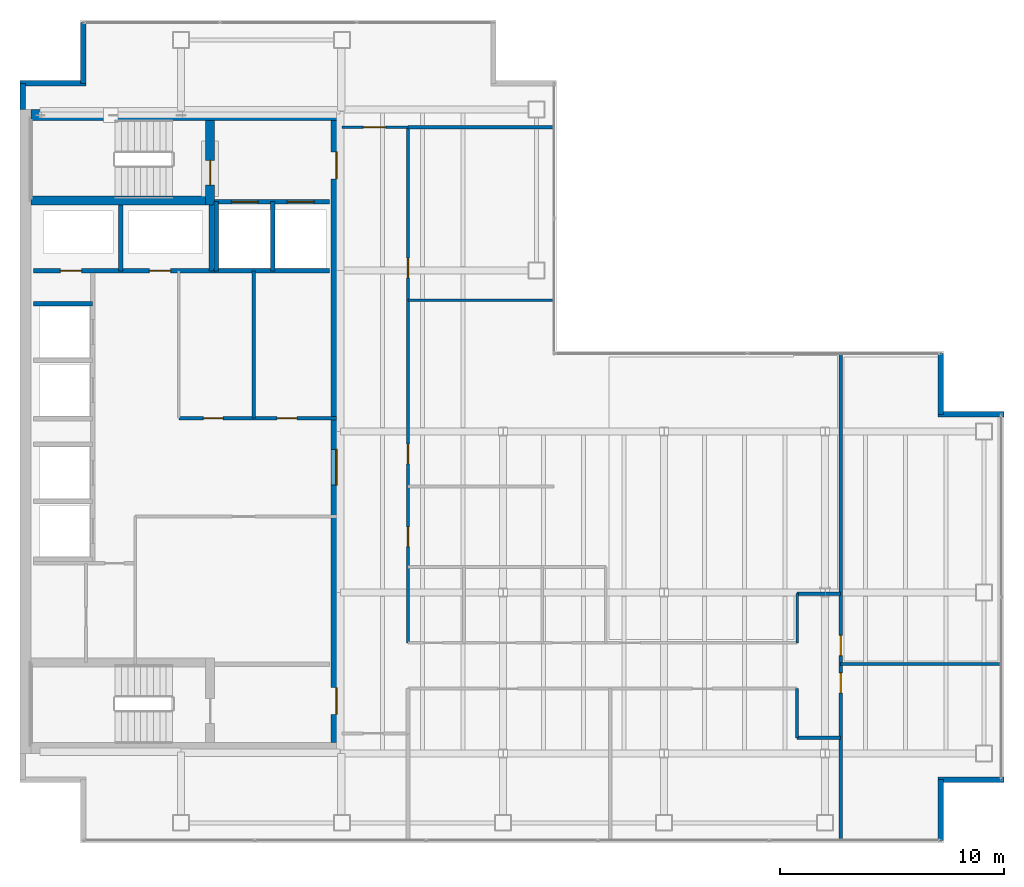
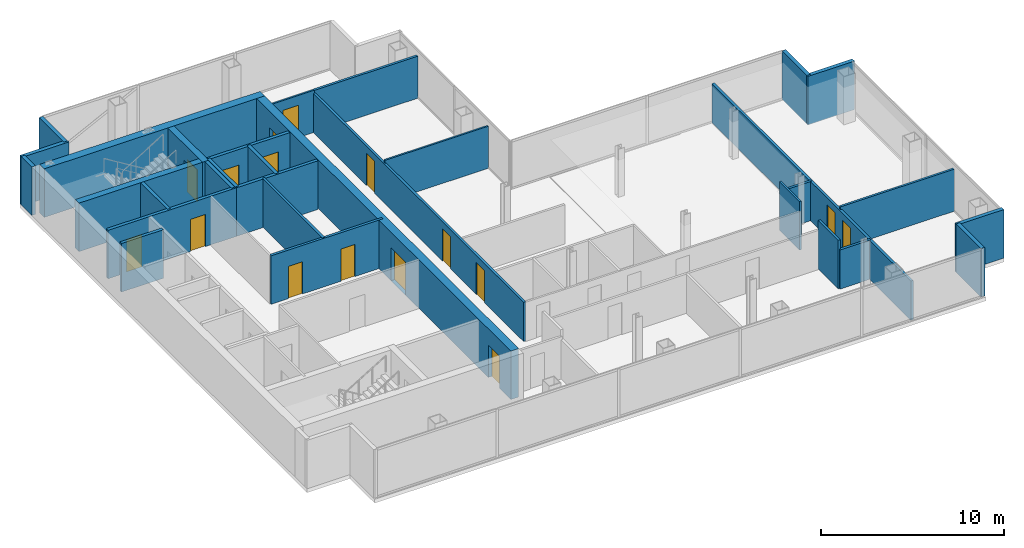
# One storey, part 21 of 23: 31 walls, 16 doors, 16 openings.
"""IFC4 building model written with IfcOpenShell, lengths in metres."""

from ifc_helpers import new_model, si_unit, direction, frame, frame_2d, origin, place, context, subcontext, project, spatial, rectangle, extrude, material, layer, layer_set, type_object, element, fill, save


model = new_model("IFC4")

# Units and contexts
model_context = context("Model", 3, precision=1e-05, world=origin(), true_north=direction((0.0, 1.0)))
body_context = subcontext(model_context, "Body", "Model", "MODEL_VIEW")
ifc_project = project(units=[si_unit("LENGTHUNIT", "METRE"), si_unit("AREAUNIT", "SQUARE_METRE"), si_unit("VOLUMEUNIT", "CUBIC_METRE"), si_unit("PLANEANGLEUNIT", "RADIAN"), si_unit("MASSUNIT", "GRAM", prefix="KILO")], contexts=[model_context])

# Site, building, storey
site_placement = place(None, origin())
site = spatial("IfcSite", under=ifc_project, at=site_placement, CompositionType="ELEMENT")
building_placement = place(site_placement, origin())
building = spatial("IfcBuilding", under=site, at=building_placement, Name="Cobrela Telecom Tower", CompositionType="ELEMENT")
storey_placement = place(building_placement, frame((0.0, 0.0, 225.75)))
storey = spatial("IfcBuildingStorey", under=building, at=storey_placement, Name="L58", CompositionType="ELEMENT", Elevation=225.75)

# Wall
ifc_material_1 = material(Name="Concrete C40/50", Category="concrete")
ifc_layer_1 = layer(ifc_material_1, 0.5)
ifc_layer_set_1 = layer_set([ifc_layer_1], Name="Concrete C40/50")
wall_type_1 = type_object("IfcWallType", Name="WALL-CORE-C40-500", PredefinedType="SHEAR", material=ifc_layer_set_1)
wall_1_placement = place(storey_placement, frame((0.5, 35.75, 0.0), z_axis=(0.0, 0.0, 1.0), x_axis=(1.0, 0.0, 0.0)))
element("IfcWall", 1, at=wall_1_placement, inside=storey, type_object=wall_type_1, Name="L58 North Core Shear Wall", PredefinedType="SHEAR", context=body_context, shape_type="SweptSolid", body=[
    extrude(rectangle(XDim=13.89990234375, YDim=0.5, at=frame_2d((6.949951171875, 0.0))), origin(), (0.0, 0.0, 1.0), 3.239990234375),
])

# Wall, openings, doors
wall_2_placement = place(storey_placement, frame((14.14990234375, 35.5, 0.0), z_axis=(0.0, 0.0, 1.0), x_axis=(0.0, -1.0, 0.0)))
wall_2 = element("IfcWall", 2, at=wall_2_placement, inside=storey, type_object=wall_type_1, Name="L58 East Core Shear Wall", PredefinedType="SHEAR", context=body_context, shape_type="SweptSolid", body=[
    extrude(rectangle(XDim=27.800048828125, YDim=0.5, at=frame_2d((13.89990234375, 0.0))), origin(), (0.0, 0.0, 1.0), 3.239990234375),
])
opening_1_placement = place(wall_2_placement, frame((1.39990234375, 0.0, 0.0)))
opening_1 = element("IfcOpeningElement", 3, at=opening_1_placement, cuts=wall_2, Name="Opening DR-19", PredefinedType="OPENING", context=body_context, shape_type="SweptSolid", body=[
    extrude(rectangle(XDim=1.199951171875, YDim=2.14990234375, at=frame_2d((0.60009765625, 1.074951171875))), frame((0.0, 0.261962890625, 0.0), z_axis=(0.0, -1.0, 0.0), x_axis=(1.0, 0.0, 0.0)), (0.0, 0.0, 1.0), 0.52392578125),
])
opening_2_placement = place(wall_2_placement, frame((25.35009765625, 0.0, 0.0)))
opening_2 = element("IfcOpeningElement", 4, at=opening_2_placement, cuts=wall_2, Name="Opening DR-19", PredefinedType="OPENING", context=body_context, shape_type="SweptSolid", body=[
    extrude(rectangle(XDim=1.199951171875, YDim=2.14990234375, at=frame_2d((0.60009765625, 1.074951171875))), frame((0.0, 0.261962890625, 0.0), z_axis=(0.0, -1.0, 0.0), x_axis=(1.0, 0.0, 0.0)), (0.0, 0.0, 1.0), 0.52392578125),
])
opening_3_placement = place(wall_2_placement, frame((14.699951171875, 0.0, 0.0)))
opening_3 = element("IfcOpeningElement", 5, at=opening_3_placement, cuts=wall_2, Name="Opening DR-51", PredefinedType="OPENING", context=body_context, shape_type="SweptSolid", body=[
    extrude(rectangle(XDim=1.60009765625, YDim=2.199951171875, at=frame_2d((0.800048828125, 1.10009765625))), frame((0.0, 0.261962890625, 0.0), z_axis=(0.0, -1.0, 0.0), x_axis=(1.0, 0.0, 0.0)), (0.0, 0.0, 1.0), 0.52392578125),
])
ifc_material_2 = material(Name="Steel ASTM A36", Category="steel")
door_type_1 = type_object("IfcDoorType", Name="DOOR-FD60-1200", OperationType="SINGLE_SWING_LEFT", PredefinedType="DOOR", material=ifc_material_2)
door_1_placement = place(opening_1_placement, origin())
door_1 = element("IfcDoor", 6, at=door_1_placement, inside=storey, type_object=door_type_1, Name="L58 Door DR-19", OperationType="SINGLE_SWING_LEFT", OverallHeight=2.14990234375, OverallWidth=1.199951171875, PredefinedType="DOOR", context=body_context, shape_type="SweptSolid", body=[
    extrude(rectangle(XDim=1.199951171875, YDim=2.14990234375, at=frame_2d((0.60009765625, 1.074951171875))), frame((0.0, 0.02490234375, 0.0), z_axis=(0.0, -1.0, 0.0), x_axis=(1.0, 0.0, 0.0)), (0.0, 0.0, 1.0), 0.050048828125),
])
fill(opening_1, door_1)
door_2_placement = place(opening_2_placement, origin())
door_2 = element("IfcDoor", 7, at=door_2_placement, inside=storey, type_object=door_type_1, Name="L58 Door DR-19", OperationType="SINGLE_SWING_RIGHT", OverallHeight=2.14990234375, OverallWidth=1.199951171875, PredefinedType="DOOR", context=body_context, shape_type="SweptSolid", body=[
    extrude(rectangle(XDim=1.199951171875, YDim=2.14990234375, at=frame_2d((0.60009765625, 1.074951171875))), frame((0.0, 0.02490234375, 0.0), z_axis=(0.0, -1.0, 0.0), x_axis=(1.0, 0.0, 0.0)), (0.0, 0.0, 1.0), 0.050048828125),
])
fill(opening_2, door_2)
door_type_2 = type_object("IfcDoorType", Name="DOOR-FD60-1600", OperationType="SINGLE_SWING_LEFT", PredefinedType="DOOR", material=ifc_material_2)
door_3_placement = place(opening_3_placement, origin())
door_3 = element("IfcDoor", 8, at=door_3_placement, inside=storey, type_object=door_type_2, Name="L58 Door DR-51", OperationType="DOUBLE_DOOR_SINGLE_SWING", OverallHeight=2.199951171875, OverallWidth=1.60009765625, PredefinedType="DOOR", context=body_context, shape_type="SweptSolid", body=[
    extrude(rectangle(XDim=1.60009765625, YDim=2.199951171875, at=frame_2d((0.800048828125, 1.10009765625))), frame((0.0, 0.02490234375, 0.0), z_axis=(0.0, -1.0, 0.0), x_axis=(1.0, 0.0, 0.0)), (0.0, 0.0, 1.0), 0.050048828125),
])
fill(opening_3, door_3)

# Walls
ifc_layer_2 = layer(ifc_material_1, 0.239990234375)
ifc_layer_set_2 = layer_set([ifc_layer_2], Name="Concrete C40/50")
wall_type_2 = type_object("IfcWallType", Name="WALL-EXT-300", PredefinedType="STANDARD", material=ifc_layer_set_2)
wall_3_placement = place(storey_placement, frame((0.1201171875, 36.0, 0.0), z_axis=(0.0, 0.0, 1.0), x_axis=(0.0, 1.0, 0.0)))
element("IfcWall", 9, at=wall_3_placement, inside=storey, type_object=wall_type_2, Name="L58 Insulated Facade Wall 04", PredefinedType="STANDARD", context=body_context, shape_type="SweptSolid", body=[
    extrude(rectangle(XDim=1.169921875, YDim=0.239990234375, at=frame_2d((0.5849609375, 0.0))), origin(), (0.0, 0.0, 1.0), 3.239990234375),
])
wall_4_placement = place(storey_placement, frame((0.0, 37.169921875, 0.0), z_axis=(0.0, 0.0, 1.0), x_axis=(1.0, 0.0, 0.0)))
element("IfcWall", 10, at=wall_4_placement, inside=storey, type_object=wall_type_2, Name="L58 Insulated Facade Wall 05", PredefinedType="STANDARD", context=body_context, shape_type="SweptSolid", body=[
    extrude(rectangle(XDim=2.949951171875, YDim=0.239990234375, at=frame_2d((1.47509765625, 0.0))), origin(), (0.0, 0.0, 1.0), 3.239990234375),
])
for number, where, z_axis, x_axis, name in (
    (11, (2.830078125, 37.169921875, 0.0), (0.0, 0.0, 1.0), (0.0, 1.0, 0.0), "L58 Insulated Facade Wall 06"),
    (12, (41.169921875, 25.080078125, 0.0), (0.0, 0.0, 1.0), (0.0, -1.0, 0.0), "L58 Insulated Facade Wall 12"),
):
    element("IfcWall", number, at=place(storey_placement, frame(where, z_axis=z_axis, x_axis=x_axis)), inside=storey, type_object=wall_type_2, Name=name, PredefinedType="STANDARD", context=body_context, shape_type="SweptSolid", body=[
        extrude(rectangle(XDim=2.7099609375, YDim=0.239990234375, at=frame_2d((1.35498046875, 0.0))), origin(), (0.0, 0.0, 1.0), 3.239990234375),
    ])
for number, where, z_axis, x_axis, name in (
    (13, (41.050048828125, 22.3701171875, 0.0), (0.0, 0.0, 1.0), (1.0, 0.0, 0.0), "L58 Insulated Facade Wall 13"),
    (14, (44.0, 6.030029296875, 0.0), (0.0, 0.0, 1.0), (-1.0, 0.0, 0.0), "L58 Insulated Facade Wall 15"),
):
    element("IfcWall", number, at=place(storey_placement, frame(where, z_axis=z_axis, x_axis=x_axis)), inside=storey, type_object=wall_type_2, Name=name, PredefinedType="STANDARD", context=body_context, shape_type="SweptSolid", body=[
        extrude(rectangle(XDim=2.949951171875, YDim=0.239990234375, at=frame_2d((1.47509765625, 0.0))), origin(), (0.0, 0.0, 1.0), 3.239990234375),
    ])
wall_5_placement = place(storey_placement, frame((41.169921875, 6.030029296875, 0.0), z_axis=(0.0, 0.0, 1.0), x_axis=(0.0, -1.0, 0.0)))
element("IfcWall", 15, at=wall_5_placement, inside=storey, type_object=wall_type_2, Name="L58 Insulated Facade Wall 16", PredefinedType="STANDARD", context=body_context, shape_type="SweptSolid", body=[
    extrude(rectangle(XDim=2.7099609375, YDim=0.239990234375, at=frame_2d((1.35498046875, 0.0))), origin(), (0.0, 0.0, 1.0), 3.239990234375),
])

# Wall, opening, door
ifc_material_3 = material(Name="Fire-Rated Gypsum Plasterboard")
ifc_layer_3 = layer(ifc_material_3, 0.110107421875)
ifc_layer_set_3 = layer_set([ifc_layer_3], Name="Fire-Rated Gypsum Plasterboard")
wall_type_3 = type_object("IfcWallType", Name="WALL-PART-110", PredefinedType="PARTITIONING", material=ifc_layer_set_3)
wall_6_placement = place(storey_placement, frame((14.39990234375, 35.199951171875, 0.0), z_axis=(0.0, 0.0, 1.0), x_axis=(1.0, 0.0, 0.0)))
wall_6 = element("IfcWall", 16, at=wall_6_placement, inside=storey, type_object=wall_type_3, Name="L58 Interior Partition W-C-N0", PredefinedType="PARTITIONING", context=body_context, shape_type="SweptSolid", body=[
    extrude(rectangle(XDim=2.9501953125, YDim=0.110107421875, at=frame_2d((1.47509765625, 0.0))), origin(), (0.0, 0.0, 1.0), 2.80810546875),
])
opening_4_placement = place(wall_6_placement, frame((0.949951171875, 0.0, 0.0)))
opening_4 = element("IfcOpeningElement", 17, at=opening_4_placement, cuts=wall_6, Name="Opening DR-31", PredefinedType="OPENING", context=body_context, shape_type="SweptSolid", body=[
    extrude(rectangle(XDim=1.0, YDim=2.14990234375, at=frame_2d((0.5, 1.074951171875))), frame((0.0, 0.06689453125, 0.0), z_axis=(0.0, -1.0, 0.0), x_axis=(1.0, 0.0, 0.0)), (0.0, 0.0, 1.0), 0.134033203125),
])
ifc_material_4 = material(Name="Solid Engineered Oak Timber", Category="wood")
door_type_3 = type_object("IfcDoorType", Name="DOOR-INT-1000", OperationType="SINGLE_SWING_LEFT", PredefinedType="DOOR", material=ifc_material_4)
door_4_placement = place(opening_4_placement, origin())
door_4 = element("IfcDoor", 18, at=door_4_placement, inside=storey, type_object=door_type_3, Name="L58 Door DR-31", OperationType="SINGLE_SWING_LEFT", OverallHeight=2.14990234375, OverallWidth=1.0, PredefinedType="DOOR", context=body_context, shape_type="SweptSolid", body=[
    extrude(rectangle(XDim=1.0, YDim=2.14990234375, at=frame_2d((0.5, 1.074951171875))), frame((0.0, 0.02490234375, 0.0), z_axis=(0.0, -1.0, 0.0), x_axis=(1.0, 0.0, 0.0)), (0.0, 0.0, 1.0), 0.050048828125),
])
fill(opening_4, door_4)

# Walls
wall_7_placement = place(storey_placement, frame((34.75, 12.14990234375, 0.0), z_axis=(0.0, 0.0, 1.0), x_axis=(0.0, 1.0, 0.0)))
element("IfcWall", 19, at=wall_7_placement, inside=storey, type_object=wall_type_3, Name="L58 Interior Partition W-CT-JW2", PredefinedType="PARTITIONING", context=body_context, shape_type="SweptSolid", body=[
    extrude(rectangle(XDim=2.2001953125, YDim=0.110107421875, at=frame_2d((1.10009765625, 0.0))), origin(), (0.0, 0.0, 1.0), 3.239990234375),
])
wall_8_placement = place(storey_placement, frame((17.35009765625, 27.469970703125, 0.0), z_axis=(0.0, 0.0, 1.0), x_axis=(1.0, 0.0, 0.0)))
element("IfcWall", 20, at=wall_8_placement, inside=storey, type_object=wall_type_3, Name="L58 Interior Partition W-NT-M", PredefinedType="PARTITIONING", context=body_context, shape_type="SweptSolid", body=[
    extrude(rectangle(XDim=6.52978515625, YDim=0.110107421875, at=frame_2d((3.264892578125, 0.0))), origin(), (0.0, 0.0, 1.0), 2.80810546875),
])
ifc_layer_4 = layer(ifc_material_3, 0.135009765625)
ifc_layer_set_4 = layer_set([ifc_layer_4], Name="Fire-Rated Gypsum Plasterboard")
wall_type_4 = type_object("IfcWallType", Name="WALL-PART-135", PredefinedType="PARTITIONING", material=ifc_layer_set_4)
wall_9_placement = place(storey_placement, frame((34.75, 7.89990234375, 0.0), z_axis=(0.0, 0.0, 1.0), x_axis=(0.0, 1.0, 0.0)))
element("IfcWall", 21, at=wall_9_placement, inside=storey, type_object=wall_type_4, Name="L58 Interior Partition W-CT-JW1", PredefinedType="PARTITIONING", context=body_context, shape_type="SweptSolid", body=[
    extrude(rectangle(XDim=2.2001953125, YDim=0.135009765625, at=frame_2d((1.10009765625, 0.0))), origin(), (0.0, 0.0, 1.0), 3.239990234375),
])
wall_10_placement = place(storey_placement, frame((36.699951171875, 11.199951171875, 0.0), z_axis=(0.0, 0.0, 1.0), x_axis=(1.0, 0.0, 0.0)))
element("IfcWall", 22, at=wall_10_placement, inside=storey, type_object=wall_type_4, Name="L58 Interior Partition W-FE-H", PredefinedType="PARTITIONING", context=body_context, shape_type="SweptSolid", body=[
    extrude(rectangle(XDim=7.179931640625, YDim=0.135009765625, at=frame_2d((3.58984375, 0.0))), origin(), (0.0, 0.0, 1.0), 2.80810546875),
])
ifc_layer_5 = layer(ifc_material_3, 0.14990234375)
ifc_layer_set_5 = layer_set([ifc_layer_5], Name="Fire-Rated Gypsum Plasterboard")
wall_type_5 = type_object("IfcWallType", Name="WALL-PART-150", PredefinedType="PARTITIONING", material=ifc_layer_set_5)
wall_11_placement = place(storey_placement, frame((10.449951171875, 22.199951171875, 0.0), z_axis=(0.0, 0.0, 1.0), x_axis=(0.0, 1.0, 0.0)))
element("IfcWall", 23, at=wall_11_placement, inside=storey, type_object=wall_type_5, Name="L58 Interior Partition CW-RECL-V", PredefinedType="PARTITIONING", context=body_context, shape_type="SweptSolid", body=[
    extrude(rectangle(XDim=6.580078125, YDim=0.14990234375, at=frame_2d((3.2900390625, 0.0))), origin(), (0.0, 0.0, 1.0), 3.239990234375),
])

# Wall, openings, doors
wall_12_placement = place(storey_placement, frame((17.35009765625, 12.14990234375, 0.0), z_axis=(0.0, 0.0, 1.0), x_axis=(0.0, 1.0, 0.0)))
wall_12 = element("IfcWall", 24, at=wall_12_placement, inside=storey, type_object=wall_type_5, Name="L58 Interior Partition W-C-E2", PredefinedType="PARTITIONING", context=body_context, shape_type="SweptSolid", body=[
    extrude(rectangle(XDim=23.050048828125, YDim=0.14990234375, at=frame_2d((11.52490234375, 0.0))), origin(), (0.0, 0.0, 1.0), 2.613037109375),
])
opening_5_placement = place(wall_12_placement, frame((4.300048828125, 0.0, 0.0)))
opening_5 = element("IfcOpeningElement", 25, at=opening_5_placement, cuts=wall_12, Name="Opening DR-39", PredefinedType="OPENING", context=body_context, shape_type="SweptSolid", body=[
    extrude(rectangle(XDim=0.8798828125, YDim=2.14990234375, at=frame_2d((0.43994140625, 1.074951171875))), frame((0.0, 0.0869140625, 0.0), z_axis=(0.0, -1.0, 0.0), x_axis=(1.0, 0.0, 0.0)), (0.0, 0.0, 1.0), 0.173828125),
])
opening_6_placement = place(wall_12_placement, frame((8.0, 0.0, 0.0)))
opening_6 = element("IfcOpeningElement", 26, at=opening_6_placement, cuts=wall_12, Name="Opening DR-39", PredefinedType="OPENING", context=body_context, shape_type="SweptSolid", body=[
    extrude(rectangle(XDim=0.8798828125, YDim=2.14990234375, at=frame_2d((0.43994140625, 1.074951171875))), frame((0.0, 0.0869140625, 0.0), z_axis=(0.0, -1.0, 0.0), x_axis=(1.0, 0.0, 0.0)), (0.0, 0.0, 1.0), 0.173828125),
])
opening_7_placement = place(wall_12_placement, frame((16.320068359375, 0.0, 0.0)))
opening_7 = element("IfcOpeningElement", 27, at=opening_7_placement, cuts=wall_12, Name="Opening DR-39", PredefinedType="OPENING", context=body_context, shape_type="SweptSolid", body=[
    extrude(rectangle(XDim=0.8798828125, YDim=2.14990234375, at=frame_2d((0.43994140625, 1.074951171875))), frame((0.0, 0.0869140625, 0.0), z_axis=(0.0, -1.0, 0.0), x_axis=(1.0, 0.0, 0.0)), (0.0, 0.0, 1.0), 0.173828125),
])
door_type_4 = type_object("IfcDoorType", Name="DOOR-INT-880", OperationType="SINGLE_SWING_LEFT", PredefinedType="DOOR", material=ifc_material_4)
door_5_placement = place(opening_5_placement, origin())
door_5 = element("IfcDoor", 28, at=door_5_placement, inside=storey, type_object=door_type_4, Name="L58 Door DR-39", OperationType="SINGLE_SWING_RIGHT", OverallHeight=2.14990234375, OverallWidth=0.8798828125, PredefinedType="DOOR", context=body_context, shape_type="SweptSolid", body=[
    extrude(rectangle(XDim=0.8798828125, YDim=2.14990234375, at=frame_2d((0.43994140625, 1.074951171875))), frame((0.0, 0.02490234375, 0.0), z_axis=(0.0, -1.0, 0.0), x_axis=(1.0, 0.0, 0.0)), (0.0, 0.0, 1.0), 0.050048828125),
])
fill(opening_5, door_5)
door_6_placement = place(opening_6_placement, origin())
door_6 = element("IfcDoor", 29, at=door_6_placement, inside=storey, type_object=door_type_4, Name="L58 Door DR-39", OperationType="SINGLE_SWING_LEFT", OverallHeight=2.14990234375, OverallWidth=0.8798828125, PredefinedType="DOOR", context=body_context, shape_type="SweptSolid", body=[
    extrude(rectangle(XDim=0.8798828125, YDim=2.14990234375, at=frame_2d((0.43994140625, 1.074951171875))), frame((0.0, 0.02490234375, 0.0), z_axis=(0.0, -1.0, 0.0), x_axis=(1.0, 0.0, 0.0)), (0.0, 0.0, 1.0), 0.050048828125),
])
fill(opening_6, door_6)
door_7_placement = place(opening_7_placement, origin())
door_7 = element("IfcDoor", 30, at=door_7_placement, inside=storey, type_object=door_type_4, Name="L58 Door DR-39", OperationType="SINGLE_SWING_RIGHT", OverallHeight=2.14990234375, OverallWidth=0.8798828125, PredefinedType="DOOR", context=body_context, shape_type="SweptSolid", body=[
    extrude(rectangle(XDim=0.8798828125, YDim=2.14990234375, at=frame_2d((0.43994140625, 1.074951171875))), frame((0.0, 0.02490234375, 0.0), z_axis=(0.0, -1.0, 0.0), x_axis=(1.0, 0.0, 0.0)), (0.0, 0.0, 1.0), 0.050048828125),
])
fill(opening_7, door_7)

# Walls
wall_13_placement = place(storey_placement, frame((34.75, 14.35009765625, 0.0), z_axis=(0.0, 0.0, 1.0), x_axis=(1.0, 0.0, 0.0)))
element("IfcWall", 31, at=wall_13_placement, inside=storey, type_object=wall_type_5, Name="L58 Interior Partition W-CT-N", PredefinedType="PARTITIONING", context=body_context, shape_type="SweptSolid", body=[
    extrude(rectangle(XDim=1.949951171875, YDim=0.14990234375, at=frame_2d((0.97509765625, 0.0))), origin(), (0.0, 0.0, 1.0), 2.613037109375),
])
wall_14_placement = place(storey_placement, frame((17.35009765625, 35.199951171875, 0.0), z_axis=(0.0, 0.0, 1.0), x_axis=(1.0, 0.0, 0.0)))
element("IfcWall", 32, at=wall_14_placement, inside=storey, type_object=wall_type_5, Name="L58 Interior Partition W-NW-S", PredefinedType="PARTITIONING", context=body_context, shape_type="SweptSolid", body=[
    extrude(rectangle(XDim=6.52978515625, YDim=0.14990234375, at=frame_2d((3.264892578125, 0.0))), origin(), (0.0, 0.0, 1.0), 2.80810546875),
])

# Wall, openings, doors
ifc_layer_6 = layer(ifc_material_3, 0.159912109375)
ifc_layer_set_6 = layer_set([ifc_layer_6], Name="Fire-Rated Gypsum Plasterboard")
wall_type_6 = type_object("IfcWallType", Name="WALL-PART-160", PredefinedType="PARTITIONING", material=ifc_layer_set_6)
wall_15_placement = place(storey_placement, frame((7.10009765625, 22.199951171875, 0.0), z_axis=(0.0, 0.0, 1.0), x_axis=(1.0, 0.0, 0.0)))
wall_15 = element("IfcWall", 33, at=wall_15_placement, inside=storey, type_object=wall_type_6, Name="L58 Interior Partition CW-RECL-S", PredefinedType="PARTITIONING", context=body_context, shape_type="SweptSolid", body=[
    extrude(rectangle(XDim=7.0498046875, YDim=0.159912109375, at=frame_2d((3.52490234375, 0.0))), origin(), (0.0, 0.0, 1.0), 3.239990234375),
])
opening_8_placement = place(wall_15_placement, frame((1.10009765625, 0.0, 0.0)))
opening_8 = element("IfcOpeningElement", 34, at=opening_8_placement, cuts=wall_15, Name="Opening DR-39", PredefinedType="OPENING", context=body_context, shape_type="SweptSolid", body=[
    extrude(rectangle(XDim=0.8798828125, YDim=2.14990234375, at=frame_2d((0.43994140625, 1.074951171875))), frame((0.0, 0.091796875, 0.0), z_axis=(0.0, -1.0, 0.0), x_axis=(1.0, 0.0, 0.0)), (0.0, 0.0, 1.0), 0.183837890625),
])
opening_9_placement = place(wall_15_placement, frame((4.39990234375, 0.0, 0.0)))
opening_9 = element("IfcOpeningElement", 35, at=opening_9_placement, cuts=wall_15, Name="Opening DR-39", PredefinedType="OPENING", context=body_context, shape_type="SweptSolid", body=[
    extrude(rectangle(XDim=0.8798828125, YDim=2.14990234375, at=frame_2d((0.43994140625, 1.074951171875))), frame((0.0, 0.091796875, 0.0), z_axis=(0.0, -1.0, 0.0), x_axis=(1.0, 0.0, 0.0)), (0.0, 0.0, 1.0), 0.183837890625),
])
door_8_placement = place(opening_8_placement, origin())
door_8 = element("IfcDoor", 36, at=door_8_placement, inside=storey, type_object=door_type_4, Name="L58 Door DR-39", OperationType="SINGLE_SWING_LEFT", OverallHeight=2.14990234375, OverallWidth=0.8798828125, PredefinedType="DOOR", context=body_context, shape_type="SweptSolid", body=[
    extrude(rectangle(XDim=0.8798828125, YDim=2.14990234375, at=frame_2d((0.43994140625, 1.074951171875))), frame((0.0, 0.02490234375, 0.0), z_axis=(0.0, -1.0, 0.0), x_axis=(1.0, 0.0, 0.0)), (0.0, 0.0, 1.0), 0.050048828125),
])
fill(opening_8, door_8)
door_9_placement = place(opening_9_placement, origin())
door_9 = element("IfcDoor", 37, at=door_9_placement, inside=storey, type_object=door_type_4, Name="L58 Door DR-39", OperationType="SINGLE_SWING_RIGHT", OverallHeight=2.14990234375, OverallWidth=0.8798828125, PredefinedType="DOOR", context=body_context, shape_type="SweptSolid", body=[
    extrude(rectangle(XDim=0.8798828125, YDim=2.14990234375, at=frame_2d((0.43994140625, 1.074951171875))), frame((0.0, 0.02490234375, 0.0), z_axis=(0.0, -1.0, 0.0), x_axis=(1.0, 0.0, 0.0)), (0.0, 0.0, 1.0), 0.050048828125),
])
fill(opening_9, door_9)

# Wall
wall_16_placement = place(storey_placement, frame((34.75, 7.89990234375, 0.0), z_axis=(0.0, 0.0, 1.0), x_axis=(1.0, 0.0, 0.0)))
element("IfcWall", 38, at=wall_16_placement, inside=storey, type_object=wall_type_6, Name="L58 Interior Partition W-CT-S", PredefinedType="PARTITIONING", context=body_context, shape_type="SweptSolid", body=[
    extrude(rectangle(XDim=1.949951171875, YDim=0.159912109375, at=frame_2d((0.97509765625, 0.0))), origin(), (0.0, 0.0, 1.0), 2.613037109375),
])

# Wall, openings, doors
wall_17_placement = place(storey_placement, frame((36.699951171875, 3.320068359375, 0.0), z_axis=(0.0, 0.0, 1.0), x_axis=(0.0, 1.0, 0.0)))
wall_17 = element("IfcWall", 39, at=wall_17_placement, inside=storey, type_object=wall_type_6, Name="L58 Interior Partition W-C-END", PredefinedType="PARTITIONING", context=body_context, shape_type="SweptSolid", body=[
    extrude(rectangle(XDim=21.760009765625, YDim=0.159912109375, at=frame_2d((10.8798828125, 0.0))), origin(), (0.0, 0.0, 1.0), 2.613037109375),
])
opening_10_placement = place(wall_17_placement, frame((6.590087890625, 0.0, 0.0)))
opening_10 = element("IfcOpeningElement", 40, at=opening_10_placement, cuts=wall_17, Name="Opening DR-41", PredefinedType="OPENING", context=body_context, shape_type="SweptSolid", body=[
    extrude(rectangle(XDim=0.89990234375, YDim=2.14990234375, at=frame_2d((0.449951171875, 1.074951171875))), frame((0.0, 0.091796875, 0.0), z_axis=(0.0, -1.0, 0.0), x_axis=(1.0, 0.0, 0.0)), (0.0, 0.0, 1.0), 0.183837890625),
])
opening_11_placement = place(wall_17_placement, frame((8.260009765625, 0.0, 0.0)))
opening_11 = element("IfcOpeningElement", 41, at=opening_11_placement, cuts=wall_17, Name="Opening DR-41", PredefinedType="OPENING", context=body_context, shape_type="SweptSolid", body=[
    extrude(rectangle(XDim=0.89990234375, YDim=2.14990234375, at=frame_2d((0.449951171875, 1.074951171875))), frame((0.0, 0.091796875, 0.0), z_axis=(0.0, -1.0, 0.0), x_axis=(1.0, 0.0, 0.0)), (0.0, 0.0, 1.0), 0.183837890625),
])
door_type_5 = type_object("IfcDoorType", Name="DOOR-INT-900", OperationType="SINGLE_SWING_LEFT", PredefinedType="DOOR", material=ifc_material_4)
door_10_placement = place(opening_10_placement, origin())
door_10 = element("IfcDoor", 42, at=door_10_placement, inside=storey, type_object=door_type_5, Name="L58 Door DR-41", OperationType="SINGLE_SWING_LEFT", OverallHeight=2.14990234375, OverallWidth=0.89990234375, PredefinedType="DOOR", context=body_context, shape_type="SweptSolid", body=[
    extrude(rectangle(XDim=0.89990234375, YDim=2.14990234375, at=frame_2d((0.449951171875, 1.074951171875))), frame((0.0, 0.02490234375, 0.0), z_axis=(0.0, -1.0, 0.0), x_axis=(1.0, 0.0, 0.0)), (0.0, 0.0, 1.0), 0.050048828125),
])
fill(opening_10, door_10)
door_11_placement = place(opening_11_placement, origin())
door_11 = element("IfcDoor", 43, at=door_11_placement, inside=storey, type_object=door_type_5, Name="L58 Door DR-41", OperationType="SINGLE_SWING_RIGHT", OverallHeight=2.14990234375, OverallWidth=0.89990234375, PredefinedType="DOOR", context=body_context, shape_type="SweptSolid", body=[
    extrude(rectangle(XDim=0.89990234375, YDim=2.14990234375, at=frame_2d((0.449951171875, 1.074951171875))), frame((0.0, 0.02490234375, 0.0), z_axis=(0.0, -1.0, 0.0), x_axis=(1.0, 0.0, 0.0)), (0.0, 0.0, 1.0), 0.050048828125),
])
fill(opening_11, door_11)

ifc_layer_7 = layer(ifc_material_3, 0.199951171875)
ifc_layer_set_7 = layer_set([ifc_layer_7], Name="Fire-Rated Gypsum Plasterboard")
wall_type_7 = type_object("IfcWallType", Name="WALL-SHAFT-200", PredefinedType="PARTITIONING", material=ifc_layer_set_7)
wall_18_placement = place(storey_placement, frame((8.699951171875, 31.8798828125, 0.0), z_axis=(0.0, 0.0, 1.0), x_axis=(1.0, 0.0, 0.0)))
wall_18 = element("IfcWall", 44, at=wall_18_placement, inside=storey, type_object=wall_type_7, Name="L58 Shaft Enclosure CW-FFL-S", PredefinedType="PARTITIONING", context=body_context, shape_type="SweptSolid", body=[
    extrude(rectangle(XDim=5.150146484375, YDim=0.199951171875, at=frame_2d((2.5751953125, 0.0))), origin(), (0.0, 0.0, 1.0), 3.239990234375),
])
opening_12_placement = place(wall_18_placement, frame((0.75, 0.0, 0.0)))
opening_12 = element("IfcOpeningElement", 45, at=opening_12_placement, cuts=wall_18, Name="Opening LD-2", PredefinedType="OPENING", context=body_context, shape_type="SweptSolid", body=[
    extrude(rectangle(XDim=1.199951171875, YDim=2.199951171875, at=frame_2d((0.60009765625, 1.10009765625))), frame((0.0, 0.11181640625, 0.0), z_axis=(0.0, -1.0, 0.0), x_axis=(1.0, 0.0, 0.0)), (0.0, 0.0, 1.0), 0.223876953125),
])
opening_13_placement = place(wall_18_placement, frame((3.25, 0.0, 0.0)))
opening_13 = element("IfcOpeningElement", 46, at=opening_13_placement, cuts=wall_18, Name="Opening LD-2", PredefinedType="OPENING", context=body_context, shape_type="SweptSolid", body=[
    extrude(rectangle(XDim=1.199951171875, YDim=2.199951171875, at=frame_2d((0.60009765625, 1.10009765625))), frame((0.0, 0.11181640625, 0.0), z_axis=(0.0, -1.0, 0.0), x_axis=(1.0, 0.0, 0.0)), (0.0, 0.0, 1.0), 0.223876953125),
])
door_type_6 = type_object("IfcDoorType", Name="DOOR-LD-FFL", OperationType="SINGLE_SWING_LEFT", PredefinedType="DOOR", material=ifc_material_2)
door_12_placement = place(opening_12_placement, origin())
door_12 = element("IfcDoor", 47, at=door_12_placement, inside=storey, type_object=door_type_6, Name="L58 Lift Landing Door LD-2", OperationType="DOUBLE_DOOR_SLIDING", OverallHeight=2.199951171875, OverallWidth=1.199951171875, PredefinedType="DOOR", context=body_context, shape_type="SweptSolid", body=[
    extrude(rectangle(XDim=1.199951171875, YDim=2.199951171875, at=frame_2d((0.60009765625, 1.10009765625))), frame((0.0, 0.02490234375, 0.0), z_axis=(0.0, -1.0, 0.0), x_axis=(1.0, 0.0, 0.0)), (0.0, 0.0, 1.0), 0.050048828125),
])
fill(opening_12, door_12)
door_13_placement = place(opening_13_placement, origin())
door_13 = element("IfcDoor", 48, at=door_13_placement, inside=storey, type_object=door_type_6, Name="L58 Lift Landing Door LD-2", OperationType="DOUBLE_DOOR_SLIDING", OverallHeight=2.199951171875, OverallWidth=1.199951171875, PredefinedType="DOOR", context=body_context, shape_type="SweptSolid", body=[
    extrude(rectangle(XDim=1.199951171875, YDim=2.199951171875, at=frame_2d((0.60009765625, 1.10009765625))), frame((0.0, 0.02490234375, 0.0), z_axis=(0.0, -1.0, 0.0), x_axis=(1.0, 0.0, 0.0)), (0.0, 0.0, 1.0), 0.050048828125),
])
fill(opening_13, door_13)

# Walls
wall_19_placement = place(storey_placement, frame((8.699951171875, 28.780029296875, 0.0), z_axis=(0.0, 0.0, 1.0), x_axis=(1.0, 0.0, 0.0)))
element("IfcWall", 49, at=wall_19_placement, inside=storey, type_object=wall_type_7, Name="L58 Shaft Enclosure CW-FFL-S2", PredefinedType="PARTITIONING", context=body_context, shape_type="SweptSolid", body=[
    extrude(rectangle(XDim=5.150146484375, YDim=0.199951171875, at=frame_2d((2.5751953125, 0.0))), origin(), (0.0, 0.0, 1.0), 3.239990234375),
])
for number, where, z_axis, x_axis, name in (
    (50, (8.780029296875, 28.780029296875, 0.0), (0.0, 0.0, 1.0), (0.0, 1.0, 0.0), "L58 Shaft Enclosure CW-FFL-W"),
    (51, (11.300048828125, 28.780029296875, 0.0), (0.0, 0.0, 1.0), (0.0, 1.0, 0.0), "L58 Shaft Enclosure CW-FFL-M"),
):
    element("IfcWall", number, at=place(storey_placement, frame(where, z_axis=z_axis, x_axis=x_axis)), inside=storey, type_object=wall_type_7, Name=name, PredefinedType="PARTITIONING", context=body_context, shape_type="SweptSolid", body=[
        extrude(rectangle(XDim=3.099853515625, YDim=0.199951171875, at=frame_2d((1.5498046875, 0.0))), origin(), (0.0, 0.0, 1.0), 3.239990234375),
    ])

# Wall, openings, doors
wall_20_placement = place(storey_placement, frame((0.60009765625, 28.780029296875, 0.0), z_axis=(0.0, 0.0, 1.0), x_axis=(1.0, 0.0, 0.0)))
wall_20 = element("IfcWall", 52, at=wall_20_placement, inside=storey, type_object=wall_type_7, Name="L58 Shaft Enclosure CW-RIS-S", PredefinedType="PARTITIONING", context=body_context, shape_type="SweptSolid", body=[
    extrude(rectangle(XDim=8.179931640625, YDim=0.199951171875, at=frame_2d((4.08984375, 0.0))), origin(), (0.0, 0.0, 1.0), 3.239990234375),
])
opening_14_placement = place(wall_20_placement, frame((1.2099609375, 0.0, 0.0)))
opening_14 = element("IfcOpeningElement", 53, at=opening_14_placement, cuts=wall_20, Name="Opening DR-65", PredefinedType="OPENING", context=body_context, shape_type="SweptSolid", body=[
    extrude(rectangle(XDim=0.949951171875, YDim=2.14990234375, at=frame_2d((0.47509765625, 1.074951171875))), frame((0.0, 0.11181640625, 0.0), z_axis=(0.0, -1.0, 0.0), x_axis=(1.0, 0.0, 0.0)), (0.0, 0.0, 1.0), 0.223876953125),
])
opening_15_placement = place(wall_20_placement, frame((5.18994140625, 0.0, 0.0)))
opening_15 = element("IfcOpeningElement", 54, at=opening_15_placement, cuts=wall_20, Name="Opening DR-65", PredefinedType="OPENING", context=body_context, shape_type="SweptSolid", body=[
    extrude(rectangle(XDim=0.949951171875, YDim=2.14990234375, at=frame_2d((0.47509765625, 1.074951171875))), frame((0.0, 0.11181640625, 0.0), z_axis=(0.0, -1.0, 0.0), x_axis=(1.0, 0.0, 0.0)), (0.0, 0.0, 1.0), 0.223876953125),
])
door_type_7 = type_object("IfcDoorType", Name="DOOR-FD60-950", OperationType="SINGLE_SWING_LEFT", PredefinedType="DOOR", material=ifc_material_2)
door_14_placement = place(opening_14_placement, origin())
door_14 = element("IfcDoor", 55, at=door_14_placement, inside=storey, type_object=door_type_7, Name="L58 Door DR-65", OperationType="SINGLE_SWING_LEFT", OverallHeight=2.14990234375, OverallWidth=0.949951171875, PredefinedType="DOOR", context=body_context, shape_type="SweptSolid", body=[
    extrude(rectangle(XDim=0.949951171875, YDim=2.14990234375, at=frame_2d((0.47509765625, 1.074951171875))), frame((0.0, 0.02490234375, 0.0), z_axis=(0.0, -1.0, 0.0), x_axis=(1.0, 0.0, 0.0)), (0.0, 0.0, 1.0), 0.050048828125),
])
fill(opening_14, door_14)
door_15_placement = place(opening_15_placement, origin())
door_15 = element("IfcDoor", 56, at=door_15_placement, inside=storey, type_object=door_type_7, Name="L58 Door DR-65", OperationType="SINGLE_SWING_RIGHT", OverallHeight=2.14990234375, OverallWidth=0.949951171875, PredefinedType="DOOR", context=body_context, shape_type="SweptSolid", body=[
    extrude(rectangle(XDim=0.949951171875, YDim=2.14990234375, at=frame_2d((0.47509765625, 1.074951171875))), frame((0.0, 0.02490234375, 0.0), z_axis=(0.0, -1.0, 0.0), x_axis=(1.0, 0.0, 0.0)), (0.0, 0.0, 1.0), 0.050048828125),
])
fill(opening_15, door_15)

# Walls
for number, where, z_axis, x_axis, name in (
    (57, (4.5, 28.780029296875, 0.0), (0.0, 0.0, 1.0), (0.0, 1.0, 0.0), "L58 Shaft Enclosure CW-RIS-M"),
    (58, (8.550048828125, 28.780029296875, 0.0), (0.0, 0.0, 1.0), (0.0, 1.0, 0.0), "L58 Shaft Enclosure CW-RIS-E"),
):
    element("IfcWall", number, at=place(storey_placement, frame(where, z_axis=z_axis, x_axis=x_axis)), inside=storey, type_object=wall_type_7, Name=name, PredefinedType="PARTITIONING", context=body_context, shape_type="SweptSolid", body=[
        extrude(rectangle(XDim=2.93994140625, YDim=0.199951171875, at=frame_2d((1.469970703125, 0.0))), origin(), (0.0, 0.0, 1.0), 3.239990234375),
    ])
wall_21_placement = place(storey_placement, frame((0.60009765625, 27.320068359375, 0.0), z_axis=(0.0, 0.0, 1.0), x_axis=(1.0, 0.0, 0.0)))
element("IfcWall", 59, at=wall_21_placement, inside=storey, type_object=wall_type_7, Name="L58 Shaft Enclosure CW-PLH-TOP", PredefinedType="PARTITIONING", context=body_context, shape_type="SweptSolid", body=[
    extrude(rectangle(XDim=2.64990234375, YDim=0.199951171875, at=frame_2d((1.324951171875, 0.0))), origin(), (0.0, 0.0, 1.0), 3.239990234375),
])
ifc_layer_8 = layer(ifc_material_1, 0.39990234375)
ifc_layer_set_8 = layer_set([ifc_layer_8], Name="Concrete C40/50")
wall_type_8 = type_object("IfcWallType", Name="WALL-SHAFT-C40-400", PredefinedType="SHEAR", material=ifc_layer_set_8)
wall_22_placement = place(storey_placement, frame((0.5, 31.919921875, 0.0), z_axis=(0.0, 0.0, 1.0), x_axis=(1.0, 0.0, 0.0)))
element("IfcWall", 60, at=wall_22_placement, inside=storey, type_object=wall_type_8, Name="L58 North Stair Shear Wall", PredefinedType="SHEAR", context=body_context, shape_type="SweptSolid", body=[
    extrude(rectangle(XDim=7.800048828125, YDim=0.39990234375, at=frame_2d((3.89990234375, 0.0))), origin(), (0.0, 0.0, 1.0), 3.239990234375),
])

# Wall, opening, door
wall_23_placement = place(storey_placement, frame((8.5, 31.719970703125, 0.0), z_axis=(0.0, 0.0, 1.0), x_axis=(0.0, 1.0, 0.0)))
wall_23 = element("IfcWall", 61, at=wall_23_placement, inside=storey, type_object=wall_type_8, Name="L58 North Stair Lobby Shear Wall", PredefinedType="SHEAR", context=body_context, shape_type="SweptSolid", body=[
    extrude(rectangle(XDim=3.780029296875, YDim=0.39990234375, at=frame_2d((1.89013671875, 0.0))), origin(), (0.0, 0.0, 1.0), 3.239990234375),
])
opening_16_placement = place(wall_23_placement, frame((0.89990234375, 0.0, 0.0)))
opening_16 = element("IfcOpeningElement", 62, at=opening_16_placement, cuts=wall_23, Name="Opening DR-59", PredefinedType="OPENING", context=body_context, shape_type="SweptSolid", body=[
    extrude(rectangle(XDim=1.10009765625, YDim=2.14990234375, at=frame_2d((0.550048828125, 1.074951171875))), frame((0.0, 0.2119140625, 0.0), z_axis=(0.0, -1.0, 0.0), x_axis=(1.0, 0.0, 0.0)), (0.0, 0.0, 1.0), 0.423828125),
])
door_type_8 = type_object("IfcDoorType", Name="DOOR-FD60-1100", OperationType="SINGLE_SWING_LEFT", PredefinedType="DOOR", material=ifc_material_2)
door_16_placement = place(opening_16_placement, origin())
door_16 = element("IfcDoor", 63, at=door_16_placement, inside=storey, type_object=door_type_8, Name="L58 Door DR-59", OperationType="SINGLE_SWING_RIGHT", OverallHeight=2.14990234375, OverallWidth=1.10009765625, PredefinedType="DOOR", context=body_context, shape_type="SweptSolid", body=[
    extrude(rectangle(XDim=1.10009765625, YDim=2.14990234375, at=frame_2d((0.550048828125, 1.074951171875))), frame((0.0, 0.02490234375, 0.0), z_axis=(0.0, -1.0, 0.0), x_axis=(1.0, 0.0, 0.0)), (0.0, 0.0, 1.0), 0.050048828125),
])
fill(opening_16, door_16)

save(model, "model.ifc")
